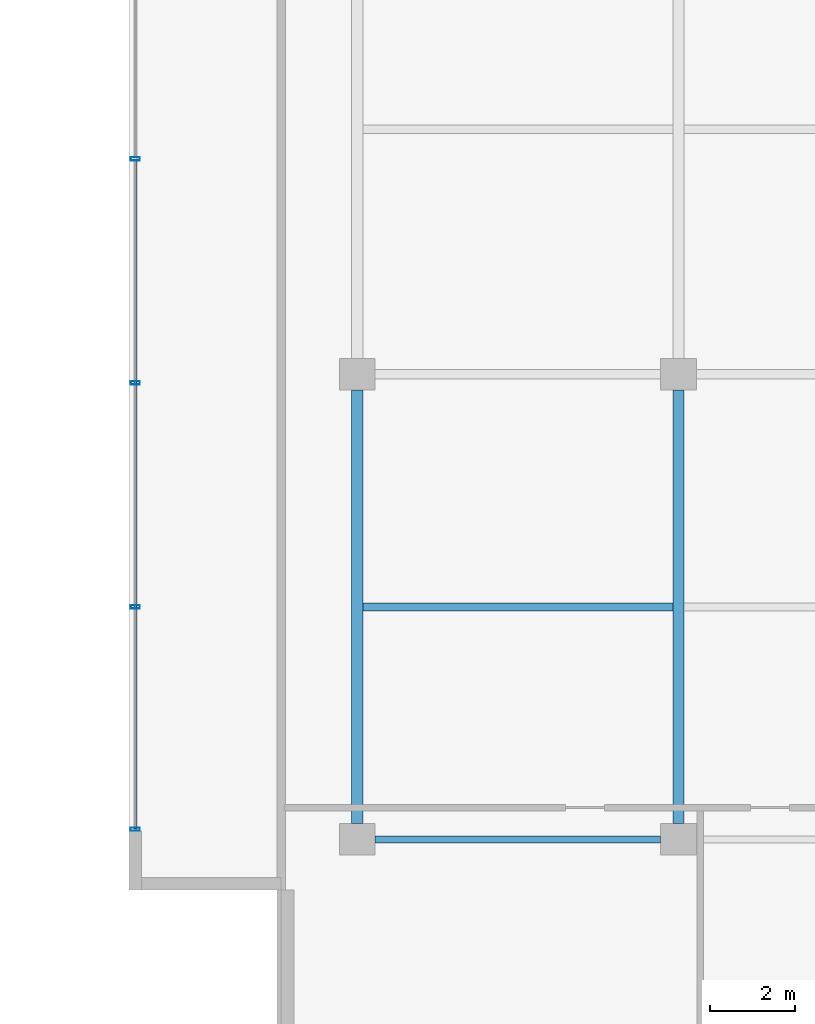
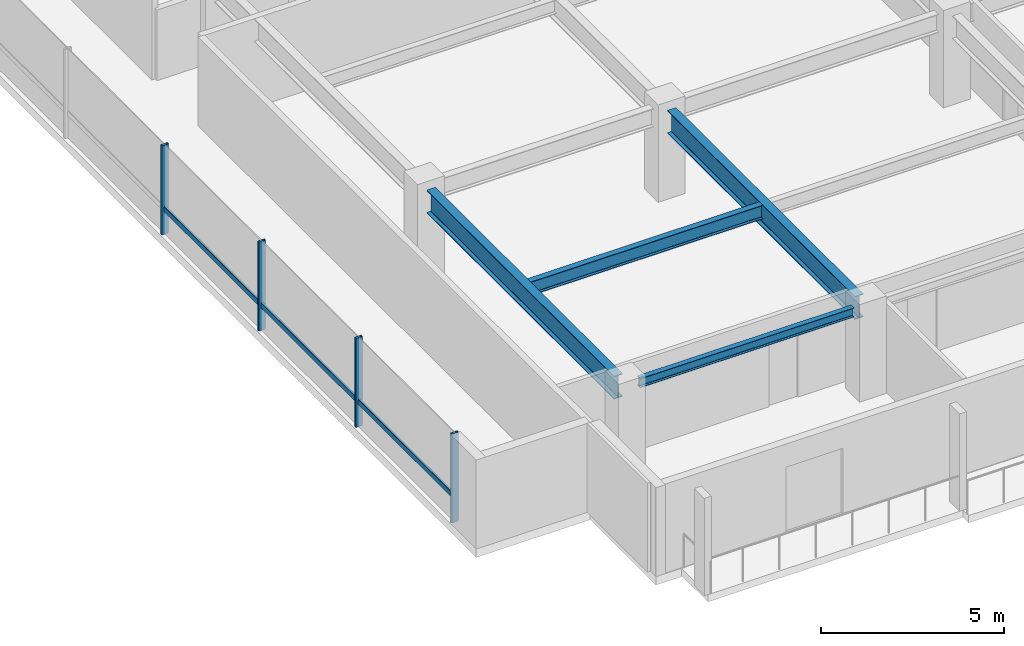
# One storey, part 2 of 38: 7 members, 4 beams, 1 element without a shape of its own.
"""IFC4 building model written with IfcOpenShell, lengths in metres."""

from ifc_helpers import new_model, si_unit, direction, frame, origin, origin_2d, place, context, subcontext, project, spatial, hollow_rectangle, i_section, extrude, material, layer, layer_set, material_profile, profile_set, type_object, element, aggregate, save


model = new_model("IFC4")

# Units and contexts
model_context = context("Model", 3, precision=1e-05, world=origin(), true_north=direction((0.0, 1.0)))
body_context = subcontext(model_context, "Body", "Model", "MODEL_VIEW")
ifc_project = project(units=[si_unit("LENGTHUNIT", "METRE"), si_unit("AREAUNIT", "SQUARE_METRE"), si_unit("VOLUMEUNIT", "CUBIC_METRE"), si_unit("PLANEANGLEUNIT", "RADIAN"), si_unit("MASSUNIT", "GRAM", prefix="KILO")], contexts=[model_context])

# Site, building, storey
site_placement = place(None, origin())
site = spatial("IfcSite", under=ifc_project, at=site_placement, CompositionType="ELEMENT")
building_placement = place(site_placement, origin())
building = spatial("IfcBuilding", under=site, at=building_placement, Name="Korimba Cascade Residences", CompositionType="ELEMENT")
storey_placement = place(building_placement, frame((0.0, 0.0, 93.800048828125)))
storey = spatial("IfcBuildingStorey", under=building, at=storey_placement, Name="L26", CompositionType="ELEMENT", Elevation=93.800048828125)

# Beams
ifc_material_1 = material(Name="Steel S355", Category="steel")
ifc_material_profile_1 = material_profile(ifc_material_1, i_section(OverallWidth=0.165771484375, OverallDepth=0.306640625, WebThickness=0.006591796875, FlangeThickness=0.01171875, FilletRadius=0.0087890625, at=origin_2d()), Name="Steel S355")
ifc_profile_set_1 = profile_set([ifc_material_profile_1], Name="Steel S355")
beam_type_1 = type_object("IfcBeamType", Name="BM-STL-UB305", PredefinedType="SPANDREL", material=ifc_profile_set_1)
beam_1_placement = place(storey_placement, frame((74.925048828125, -4.199951171875, 2.816650390625), z_axis=(1.0, 0.0, 0.0), x_axis=(0.0, 1.0, 0.0)))
element("IfcBeam", 1, at=beam_1_placement, inside=storey, type_object=beam_type_1, Name="L26 T2 E-W Girder Y1 Bay 1", PredefinedType="SPANDREL", context=body_context, shape_type="SweptSolid", body=[
    extrude(i_section(OverallWidth=0.165771484375, OverallDepth=0.306640625, WebThickness=0.006591796875, FlangeThickness=0.01171875, FilletRadius=0.0087890625, at=origin_2d()), origin(), (0.0, 0.0, 1.0), 6.75),
])
ifc_material_profile_2 = material_profile(ifc_material_1, i_section(OverallWidth=0.19140625, OverallDepth=0.4599609375, WebThickness=0.010009765625, FlangeThickness=0.01611328125, FilletRadius=0.01025390625, at=origin_2d()), Name="Steel S355")
ifc_profile_set_2 = profile_set([ifc_material_profile_2], Name="Steel S355")
beam_type_2 = type_object("IfcBeamType", Name="BM-STL-UB457", PredefinedType="JOIST", material=ifc_profile_set_2)
beam_2_placement = place(storey_placement, frame((74.634033203125, 1.300048828125, 2.739990234375), z_axis=(1.0, 0.0, 0.0), x_axis=(0.0, 1.0, 0.0)))
element("IfcBeam", 2, at=beam_2_placement, inside=storey, type_object=beam_type_2, Name="L26 T2 Floor Joist 1.1", PredefinedType="JOIST", context=body_context, shape_type="SweptSolid", body=[
    extrude(i_section(OverallWidth=0.19140625, OverallDepth=0.4599609375, WebThickness=0.010009765625, FlangeThickness=0.01611328125, FilletRadius=0.01025390625, at=origin_2d()), origin(), (0.0, 0.0, 1.0), 7.33203125),
])
ifc_material_profile_3 = material_profile(ifc_material_1, i_section(OverallWidth=0.26806640625, OverallDepth=0.769775390625, WebThickness=0.015625, FlangeThickness=0.025390625, FilletRadius=0.0166015625, at=origin_2d()), Name="Steel S355")
ifc_profile_set_3 = profile_set([ifc_material_profile_3], Name="Steel S355")
beam_type_3 = type_object("IfcBeamType", Name="BM-STL-UB762", PredefinedType="BEAM", material=ifc_profile_set_3)
for number, where, z_axis, x_axis, name in (
    (3, (74.5, -3.824951171875, 2.5849609375), (0.0, 1.0, 0.0), (-1.0, 0.0, 0.0), "L26 T2 N-S Girder X1 Seg 1"),
    (4, (82.10009765625, -3.824951171875, 2.5849609375), (0.0, 1.0, 0.0), (-1.0, 0.0, 0.0), "L26 T2 N-S Girder X2 Seg 1"),
):
    element("IfcBeam", number, at=place(storey_placement, frame(where, z_axis=z_axis, x_axis=x_axis)), inside=storey, type_object=beam_type_3, Name=name, PredefinedType="BEAM", context=body_context, shape_type="SweptSolid", body=[
        extrude(i_section(OverallWidth=0.26806640625, OverallDepth=0.769775390625, WebThickness=0.015625, FlangeThickness=0.025390625, FilletRadius=0.0166015625, at=origin_2d()), origin(), (0.0, 0.0, 1.0), 10.25),
    ])

# Curtain wall, members
ifc_material_2 = material(Name="Anodised Aluminium Curtain Wall Framing", Category="aluminium")
ifc_layer = layer(ifc_material_2, 0.179931640625)
ifc_layer_set = layer_set([ifc_layer], Name="Anodised Aluminium Curtain Wall Framing")
curtain_wall_type = type_object("IfcCurtainWallType", Name="CW-SKY-SYS2", PredefinedType="NOTDEFINED", material=ifc_layer_set)
curtain_wall_placement = place(storey_placement, origin())
curtain_wall = element("IfcCurtainWall", 5, at=curtain_wall_placement, inside=storey, type_object=curtain_wall_type, Name="L26 Curtain Wall CW-L26-T2-E9", PredefinedType="NOTDEFINED")
ifc_material_3 = material(Name="Anodised Aluminium Mullion", Category="aluminium")
ifc_material_profile_4 = material_profile(ifc_material_3, hollow_rectangle(XDim=0.080078125, YDim=0.219970703125, WallThickness=0.00634765625, InnerFilletRadius=0.00634765625, OuterFilletRadius=0.0126953125, at=origin_2d()), Name="Anodised Aluminium Mullion")
ifc_profile_set_4 = profile_set([ifc_material_profile_4], Name="Anodised Aluminium Mullion")
member_type_1 = type_object("IfcMemberType", Name="CWM-MUL-220", PredefinedType="MULLION", material=ifc_profile_set_4)
member_1_placement = place(storey_placement, frame((69.25, 11.89990234375, 0.0), z_axis=(0.0, 0.0, 1.0), x_axis=(0.0, -1.0, 0.0)))
member_1 = element("IfcMember", 6, at=member_1_placement, type_object=member_type_1, Name="CW-L26-T2-E9 Mullion 4", PredefinedType="MULLION", context=body_context, shape_type="SweptSolid", body=[
    extrude(hollow_rectangle(XDim=0.080078125, YDim=0.219970703125, WallThickness=0.00634765625, InnerFilletRadius=0.00634765625, OuterFilletRadius=0.0126953125, at=origin_2d()), origin(), (0.0, 0.0, 1.0), 2.969970703125),
])
member_2_placement = place(storey_placement, frame((69.25, 6.60009765625, 0.0), z_axis=(0.0, 0.0, 1.0), x_axis=(0.0, -1.0, 0.0)))
member_2 = element("IfcMember", 7, at=member_2_placement, type_object=member_type_1, Name="CW-L26-T2-E9 Mullion 5", PredefinedType="MULLION", context=body_context, shape_type="SweptSolid", body=[
    extrude(hollow_rectangle(XDim=0.080078125, YDim=0.219970703125, WallThickness=0.00634765625, InnerFilletRadius=0.00634765625, OuterFilletRadius=0.0126953125, at=origin_2d()), origin(), (0.0, 0.0, 1.0), 2.969970703125),
])
member_3_placement = place(storey_placement, frame((69.25, 1.300048828125, 0.0), z_axis=(0.0, 0.0, 1.0), x_axis=(0.0, -1.0, 0.0)))
member_3 = element("IfcMember", 8, at=member_3_placement, type_object=member_type_1, Name="CW-L26-T2-E9 Mullion 6", PredefinedType="MULLION", context=body_context, shape_type="SweptSolid", body=[
    extrude(hollow_rectangle(XDim=0.080078125, YDim=0.219970703125, WallThickness=0.00634765625, InnerFilletRadius=0.00634765625, OuterFilletRadius=0.0126953125, at=origin_2d()), origin(), (0.0, 0.0, 1.0), 2.969970703125),
])
member_4_placement = place(storey_placement, frame((69.25, -3.9599609375, 0.0), z_axis=(0.0, 0.0, 1.0), x_axis=(0.0, -1.0, 0.0)))
member_4 = element("IfcMember", 9, at=member_4_placement, type_object=member_type_1, Name="CW-L26-T2-E9 Mullion 7", PredefinedType="MULLION", context=body_context, shape_type="SweptSolid", body=[
    extrude(hollow_rectangle(XDim=0.080078125, YDim=0.219970703125, WallThickness=0.00634765625, InnerFilletRadius=0.00634765625, OuterFilletRadius=0.0126953125, at=origin_2d()), origin(), (0.0, 0.0, 1.0), 2.969970703125),
])
ifc_material_4 = material(Name="Anodised Aluminium Transom", Category="aluminium")
ifc_material_profile_5 = material_profile(ifc_material_4, hollow_rectangle(XDim=0.070068359375, YDim=0.179931640625, WallThickness=0.0048828125, InnerFilletRadius=0.0048828125, OuterFilletRadius=0.010009765625, at=origin_2d()), Name="Anodised Aluminium Transom")
ifc_profile_set_5 = profile_set([ifc_material_profile_5], Name="Anodised Aluminium Transom")
member_type_2 = type_object("IfcMemberType", Name="CWM-TRN-150", PredefinedType="USERDEFINED", material=ifc_profile_set_5)
member_5_placement = place(storey_placement, frame((69.25, 11.89990234375, 0.83154296875), z_axis=(0.0, -1.0, 0.0), x_axis=(1.0, 0.0, 0.0)))
member_5 = element("IfcMember", 10, at=member_5_placement, type_object=member_type_2, Name="CW-L26-T2-E9 Transom 4", ObjectType="TRANSOM", PredefinedType="USERDEFINED", context=body_context, shape_type="SweptSolid", body=[
    extrude(hollow_rectangle(XDim=0.070068359375, YDim=0.179931640625, WallThickness=0.0048828125, InnerFilletRadius=0.0048828125, OuterFilletRadius=0.010009765625, at=origin_2d()), origin(), (0.0, 0.0, 1.0), 5.2998046875),
])
member_6_placement = place(storey_placement, frame((69.25, 6.60009765625, 0.83154296875), z_axis=(0.0, -1.0, 0.0), x_axis=(1.0, 0.0, 0.0)))
member_6 = element("IfcMember", 11, at=member_6_placement, type_object=member_type_2, Name="CW-L26-T2-E9 Transom 5", ObjectType="TRANSOM", PredefinedType="USERDEFINED", context=body_context, shape_type="SweptSolid", body=[
    extrude(hollow_rectangle(XDim=0.070068359375, YDim=0.179931640625, WallThickness=0.0048828125, InnerFilletRadius=0.0048828125, OuterFilletRadius=0.010009765625, at=origin_2d()), origin(), (0.0, 0.0, 1.0), 5.300048828125),
])
member_7_placement = place(storey_placement, frame((69.25, 1.300048828125, 0.83154296875), z_axis=(0.0, -1.0, 0.0), x_axis=(1.0, 0.0, 0.0)))
member_7 = element("IfcMember", 12, at=member_7_placement, type_object=member_type_2, Name="CW-L26-T2-E9 Transom 6", ObjectType="TRANSOM", PredefinedType="USERDEFINED", context=body_context, shape_type="SweptSolid", body=[
    extrude(hollow_rectangle(XDim=0.070068359375, YDim=0.179931640625, WallThickness=0.0048828125, InnerFilletRadius=0.0048828125, OuterFilletRadius=0.010009765625, at=origin_2d()), origin(), (0.0, 0.0, 1.0), 5.260009765625),
])
aggregate(curtain_wall, [member_1, member_2, member_3, member_4, member_5, member_6, member_7])

save(model, "model.ifc")
